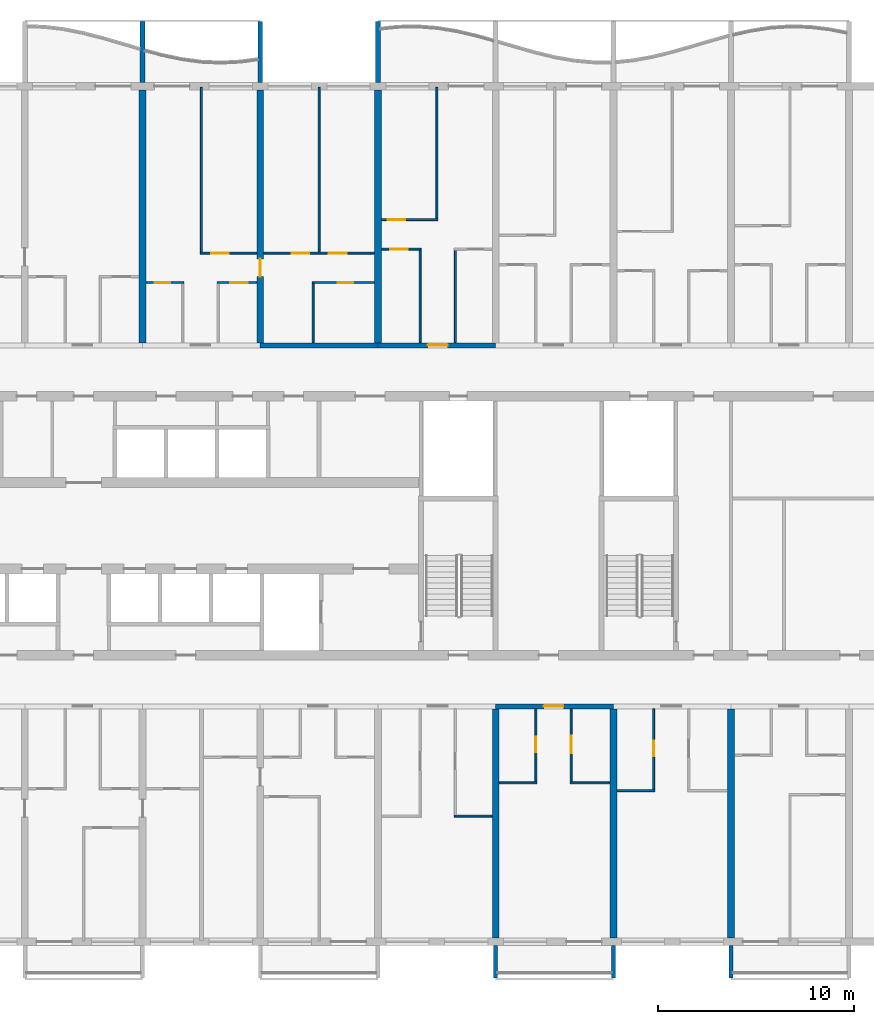
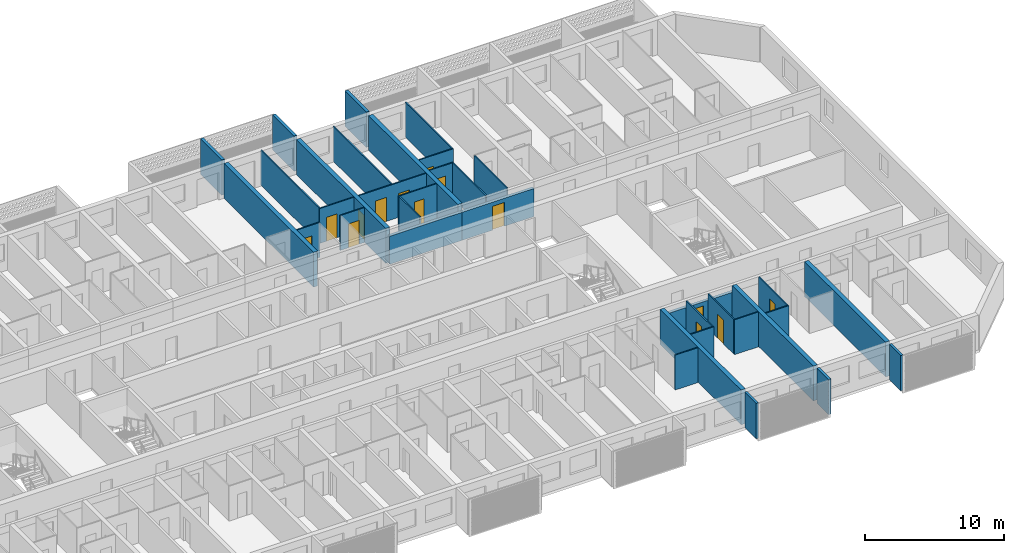
# One storey, part 13 of 30: 35 walls, 14 doors, 14 openings.
"""IFC4 building model written with IfcOpenShell, lengths in metres."""

from ifc_helpers import new_model, si_unit, direction, frame, frame_2d, origin, place, context, subcontext, project, spatial, polyline, rectangle, outline, extrude, source, transform, mapped, material, layer, layer_set, type_object, element, fill, save


model = new_model("IFC4")

# Units and contexts
model_context = context("Model", 3, precision=1e-05, world=origin(), true_north=direction((0.0, 1.0)))
body_context = subcontext(model_context, "Body", "Model", "MODEL_VIEW")
ifc_project = project(units=[si_unit("LENGTHUNIT", "METRE"), si_unit("AREAUNIT", "SQUARE_METRE"), si_unit("VOLUMEUNIT", "CUBIC_METRE"), si_unit("PLANEANGLEUNIT", "RADIAN"), si_unit("MASSUNIT", "GRAM", prefix="KILO")], contexts=[model_context])

# Site, building, storey
site_placement = place(None, origin())
site = spatial("IfcSite", under=ifc_project, at=site_placement, CompositionType="ELEMENT")
building_placement = place(site_placement, origin())
building = spatial("IfcBuilding", under=site, at=building_placement, Name="Poui Terraces", CompositionType="ELEMENT")
storey_placement = place(building_placement, frame((0.0, 0.0, 99.300048828125)))
storey = spatial("IfcBuildingStorey", under=building, at=storey_placement, Name="L27", CompositionType="ELEMENT", Elevation=99.300048828125)

# Wall, opening, door
ifc_material_1 = material(Name="Concrete 65 MPa", Category="concrete")
ifc_layer_1 = layer(ifc_material_1, 0.25)
ifc_layer_set_1 = layer_set([ifc_layer_1], Name="Concrete 65 MPa")
wall_type_1 = type_object("IfcWallType", Name="CORRIDOR WALL 250 65MPa", PredefinedType="SHEAR", material=ifc_layer_set_1)
wall_1_placement = place(storey_placement, frame((72.0, 12.0, 0.0), z_axis=(0.0, 0.0, 1.0), x_axis=(1.0, 0.0, 0.0)))
wall_1 = element("IfcWall", 1, at=wall_1_placement, inside=storey, type_object=wall_type_1, Name="CORRIDOR WALL LINE B BAY 12", PredefinedType="SHEAR", context=body_context, shape_type="SweptSolid", body=[
    extrude(rectangle(XDim=6.0, YDim=0.25, at=frame_2d((3.0, 0.0))), origin(), (0.0, 0.0, 1.0), 2.4599609375),
])
opening_1_placement = place(wall_1_placement, frame((2.449951171875, 0.0, 0.0)))
opening_1 = element("IfcOpeningElement", 2, at=opening_1_placement, cuts=wall_1, Name="Opening FD30S", PredefinedType="OPENING", context=body_context, shape_type="SweptSolid", body=[
    extrude(rectangle(XDim=1.0, YDim=2.10009765625, at=frame_2d((0.5, 1.050048828125))), frame((0.0, 0.135009765625, 0.0), z_axis=(0.0, -1.0, 0.0), x_axis=(1.0, 0.0, 0.0)), (0.0, 0.0, 1.0), 0.27001953125),
])
ifc_material_2 = material(Name="Steel fire door", Category="steel")
door_type_1 = type_object("IfcDoorType", Name="FLAT ENTRANCE DOOR 1000 X 2100", OperationType="NOTDEFINED", PredefinedType="DOOR", material=ifc_material_2)
door_1_placement = place(opening_1_placement, frame((1.0, 0.0, 0.0), z_axis=(0.0, 0.0, 1.0), x_axis=(-1.0, 0.0, 0.0)))
door_1 = element("IfcDoor", 3, at=door_1_placement, inside=storey, type_object=door_type_1, Name="FLAT ENTRANCE DOOR 122", OperationType="SINGLE_SWING_RIGHT", OverallHeight=2.10009765625, OverallWidth=1.0, PredefinedType="DOOR", context=body_context, shape_type="SweptSolid", body=[
    extrude(rectangle(XDim=1.0, YDim=2.10009765625, at=frame_2d((0.5, 1.050048828125))), frame((0.0, 0.02490234375, 0.0), z_axis=(0.0, -1.0, 0.0), x_axis=(1.0, 0.0, 0.0)), (0.0, 0.0, 1.0), 0.050048828125),
])
fill(opening_1, door_1)

# Wall
wall_2_placement = place(storey_placement, frame((60.0, 30.39990234375, 0.0), z_axis=(0.0, 0.0, 1.0), x_axis=(1.0, 0.0, 0.0)))
element("IfcWall", 4, at=wall_2_placement, inside=storey, type_object=wall_type_1, Name="CORRIDOR WALL LINE E BAY 10", PredefinedType="SHEAR", context=body_context, shape_type="SweptSolid", body=[
    extrude(rectangle(XDim=6.0, YDim=0.25, at=frame_2d((3.0, 0.0))), origin(), (0.0, 0.0, 1.0), 2.4599609375),
])

# Wall, opening, door
wall_3_placement = place(storey_placement, frame((66.0, 30.39990234375, 0.0), z_axis=(0.0, 0.0, 1.0), x_axis=(1.0, 0.0, 0.0)))
wall_3 = element("IfcWall", 5, at=wall_3_placement, inside=storey, type_object=wall_type_1, Name="CORRIDOR WALL LINE E BAY 11", PredefinedType="SHEAR", context=body_context, shape_type="SweptSolid", body=[
    extrude(rectangle(XDim=6.0, YDim=0.25, at=frame_2d((3.0, 0.0))), origin(), (0.0, 0.0, 1.0), 2.4599609375),
])
opening_2_placement = place(wall_3_placement, frame((2.550048828125, 0.0, 0.0)))
opening_2 = element("IfcOpeningElement", 6, at=opening_2_placement, cuts=wall_3, Name="Opening FD30S", PredefinedType="OPENING", context=body_context, shape_type="SweptSolid", body=[
    extrude(rectangle(XDim=1.0, YDim=2.10009765625, at=frame_2d((0.5, 1.050048828125))), frame((0.0, 0.135009765625, 0.0), z_axis=(0.0, -1.0, 0.0), x_axis=(1.0, 0.0, 0.0)), (0.0, 0.0, 1.0), 0.27001953125),
])
door_2_placement = place(opening_2_placement, origin())
door_2 = element("IfcDoor", 7, at=door_2_placement, inside=storey, type_object=door_type_1, Name="FLAT ENTRANCE DOOR 068", OperationType="SINGLE_SWING_RIGHT", OverallHeight=2.10009765625, OverallWidth=1.0, PredefinedType="DOOR", context=body_context, shape_type="SweptSolid", body=[
    extrude(rectangle(XDim=1.0, YDim=2.10009765625, at=frame_2d((0.5, 1.050048828125))), frame((0.0, 0.02490234375, 0.0), z_axis=(0.0, -1.0, 0.0), x_axis=(1.0, 0.0, 0.0)), (0.0, 0.0, 1.0), 0.050048828125),
])
fill(opening_2, door_2)

# Wall
ifc_layer_2 = layer(ifc_material_1, 0.35009765625)
ifc_layer_set_2 = layer_set([ifc_layer_2], Name="Concrete 65 MPa")
wall_type_2 = type_object("IfcWallType", Name="CROSS WALL 350 65MPa", PredefinedType="SHEAR", material=ifc_layer_set_2)
wall_4_placement = place(storey_placement, frame((54.0, 30.52490234375, 0.0), z_axis=(0.0, 0.0, 1.0), x_axis=(0.0, 1.0, 0.0)))
element("IfcWall", 8, at=wall_4_placement, inside=storey, type_object=wall_type_2, Name="CROSS WALL LINE 10 NORTH", PredefinedType="SHEAR", context=body_context, shape_type="SweptSolid", body=[
    extrude(rectangle(XDim=12.875, YDim=0.35009765625, at=frame_2d((6.4375, 0.0))), origin(), (0.0, 0.0, 1.0), 3.06005859375),
])

# Wall, opening, door
wall_5_placement = place(storey_placement, frame((60.0, 30.52490234375, 0.0), z_axis=(0.0, 0.0, 1.0), x_axis=(0.0, 1.0, 0.0)))
wall_5 = element("IfcWall", 9, at=wall_5_placement, inside=storey, type_object=wall_type_2, Name="CROSS WALL LINE 11 NORTH", PredefinedType="SHEAR", context=body_context, shape_type="SweptSolid", body=[
    extrude(rectangle(XDim=12.875, YDim=0.35009765625, at=frame_2d((6.4375, 0.0))), origin(), (0.0, 0.0, 1.0), 3.06005859375),
])
opening_3_placement = place(wall_5_placement, frame((3.375, 0.0, 0.0)))
opening_3 = element("IfcOpeningElement", 10, at=opening_3_placement, cuts=wall_5, Name="Opening D90", PredefinedType="OPENING", context=body_context, shape_type="SweptSolid", body=[
    extrude(rectangle(XDim=0.89990234375, YDim=2.10009765625, at=frame_2d((0.449951171875, 1.050048828125))), frame((0.0, 0.18505859375, 0.0), z_axis=(0.0, -1.0, 0.0), x_axis=(1.0, 0.0, 0.0)), (0.0, 0.0, 1.0), 0.3701171875),
])
ifc_material_3 = material(Name="Solid core timber door", Category="wood")
door_type_2 = type_object("IfcDoorType", Name="INTERNAL DOOR 900 X 2100", OperationType="NOTDEFINED", PredefinedType="DOOR", material=ifc_material_3)
door_3_placement = place(opening_3_placement, origin())
door_3 = element("IfcDoor", 11, at=door_3_placement, inside=storey, type_object=door_type_2, Name="INTERNAL DOOR 065", OperationType="SINGLE_SWING_LEFT", OverallHeight=2.10009765625, OverallWidth=0.89990234375, PredefinedType="DOOR", context=body_context, shape_type="SweptSolid", body=[
    extrude(rectangle(XDim=0.89990234375, YDim=2.10009765625, at=frame_2d((0.449951171875, 1.050048828125))), frame((0.0, 0.02490234375, 0.0), z_axis=(0.0, -1.0, 0.0), x_axis=(1.0, 0.0, 0.0)), (0.0, 0.0, 1.0), 0.050048828125),
])
fill(opening_3, door_3)

# Walls
wall_6_placement = place(storey_placement, frame((66.0, 30.52490234375, 0.0), z_axis=(0.0, 0.0, 1.0), x_axis=(0.0, 1.0, 0.0)))
element("IfcWall", 12, at=wall_6_placement, inside=storey, type_object=wall_type_2, Name="CROSS WALL LINE 12 NORTH", PredefinedType="SHEAR", context=body_context, shape_type="SweptSolid", body=[
    extrude(rectangle(XDim=12.875, YDim=0.35009765625, at=frame_2d((6.4375, 0.0))), origin(), (0.0, 0.0, 1.0), 3.06005859375),
])
for number, where, z_axis, x_axis, name in (
    (13, (72.0, 0.199951171875, 0.0), (0.0, 0.0, 1.0), (0.0, 1.0, 0.0), "CROSS WALL LINE 13 SOUTH"),
    (14, (78.0, 0.199951171875, 0.0), (0.0, 0.0, 1.0), (0.0, 1.0, 0.0), "CROSS WALL LINE 14 SOUTH"),
    (15, (84.0, 0.199951171875, 0.0), (0.0, 0.0, 1.0), (0.0, 1.0, 0.0), "CROSS WALL LINE 15 SOUTH"),
):
    element("IfcWall", number, at=place(storey_placement, frame(where, z_axis=z_axis, x_axis=x_axis)), inside=storey, type_object=wall_type_2, Name=name, PredefinedType="SHEAR", context=body_context, shape_type="SweptSolid", body=[
        extrude(rectangle(XDim=11.675048828125, YDim=0.35009765625, at=frame_2d((5.83740234375, 0.0))), origin(), (0.0, 0.0, 1.0), 3.06005859375),
    ])
ifc_material_4 = material(Name="Plasterboard partition")
ifc_layer_3 = layer(ifc_material_4, 0.10009765625)
ifc_layer_set_3 = layer_set([ifc_layer_3], Name="Plasterboard partition")
wall_type_3 = type_object("IfcWallType", Name="FLAT PARTITION 100", PredefinedType="PARTITIONING", material=ifc_layer_set_3)
for number, where, z_axis, x_axis, name in (
    (16, (69.89990234375, 6.39990234375, 0.0), (0.0, 0.0, 1.0), (1.0, 0.0, 0.0), "FLAT PARTITION 100"),
    (17, (78.18505859375, 7.699951171875, 0.0), (0.0, 0.0, 1.0), (1.0, 0.0, 0.0), "FLAT PARTITION 100"),
    (18, (72.18505859375, 8.10009765625, 0.0), (0.0, 0.0, 1.0), (1.0, 0.0, 0.0), "FLAT PARTITION 100"),
):
    element("IfcWall", number, at=place(storey_placement, frame(where, z_axis=z_axis, x_axis=x_axis)), inside=storey, type_object=wall_type_3, Name=name, PredefinedType="PARTITIONING", context=body_context, shape_type="SweptSolid", body=[
        extrude(rectangle(XDim=1.9150390625, YDim=0.10009765625, at=frame_2d((0.95751953125, 0.0))), origin(), (0.0, 0.0, 1.0), 3.06005859375),
    ])
wall_7_placement = place(storey_placement, frame((75.800048828125, 8.10009765625, 0.0), z_axis=(0.0, 0.0, 1.0), x_axis=(1.0, 0.0, 0.0)))
element("IfcWall", 19, at=wall_7_placement, inside=storey, type_object=wall_type_3, Name="FLAT PARTITION 100", PredefinedType="PARTITIONING", context=body_context, shape_type="SweptSolid", body=[
    extrude(rectangle(XDim=2.014892578125, YDim=0.10009765625, at=frame_2d((1.00732421875, 0.0))), origin(), (0.0, 0.0, 1.0), 3.06005859375),
])

# Wall, opening, door
wall_8_placement = place(storey_placement, frame((54.18505859375, 33.60009765625, 0.0), z_axis=(0.0, 0.0, 1.0), x_axis=(1.0, 0.0, 0.0)))
wall_8 = element("IfcWall", 20, at=wall_8_placement, inside=storey, type_object=wall_type_3, Name="FLAT PARTITION 100", PredefinedType="PARTITIONING", context=body_context, shape_type="SweptSolid", body=[
    extrude(rectangle(XDim=1.9150390625, YDim=0.10009765625, at=frame_2d((0.95751953125, 0.0))), origin(), (0.0, 0.0, 1.0), 3.06005859375),
])
opening_4_placement = place(wall_8_placement, frame((0.43994140625, 0.0, 0.0)))
opening_4 = element("IfcOpeningElement", 21, at=opening_4_placement, cuts=wall_8, Name="Opening D80", PredefinedType="OPENING", context=body_context, shape_type="SweptSolid", body=[
    extrude(rectangle(XDim=0.800048828125, YDim=2.10009765625, at=frame_2d((0.39990234375, 1.050048828125))), frame((0.0, 0.06005859375, 0.0), z_axis=(0.0, -1.0, 0.0), x_axis=(1.0, 0.0, 0.0)), (0.0, 0.0, 1.0), 0.1201171875),
])
door_type_3 = type_object("IfcDoorType", Name="BATHROOM, LAUNDRY AND STORE DOOR 800 X 2100", OperationType="NOTDEFINED", PredefinedType="DOOR", material=ifc_material_3)
door_4_placement = place(opening_4_placement, frame((0.800048828125, 0.0, 0.0), z_axis=(0.0, 0.0, 1.0), x_axis=(-1.0, 0.0, 0.0)))
door_4 = element("IfcDoor", 22, at=door_4_placement, inside=storey, type_object=door_type_3, Name="BATHROOM, LAUNDRY AND STORE DOOR 061", OperationType="SINGLE_SWING_LEFT", OverallHeight=2.10009765625, OverallWidth=0.800048828125, PredefinedType="DOOR", context=body_context, shape_type="SweptSolid", body=[
    extrude(rectangle(XDim=0.800048828125, YDim=2.10009765625, at=frame_2d((0.39990234375, 1.050048828125))), frame((0.0, 0.02490234375, 0.0), z_axis=(0.0, -1.0, 0.0), x_axis=(1.0, 0.0, 0.0)), (0.0, 0.0, 1.0), 0.050048828125),
])
fill(opening_4, door_4)

wall_9_placement = place(storey_placement, frame((57.800048828125, 33.60009765625, 0.0), z_axis=(0.0, 0.0, 1.0), x_axis=(1.0, 0.0, 0.0)))
wall_9 = element("IfcWall", 23, at=wall_9_placement, inside=storey, type_object=wall_type_3, Name="FLAT PARTITION 100", PredefinedType="PARTITIONING", context=body_context, shape_type="SweptSolid", body=[
    extrude(rectangle(XDim=2.014892578125, YDim=0.10009765625, at=frame_2d((1.00732421875, 0.0))), origin(), (0.0, 0.0, 1.0), 3.06005859375),
])
opening_5_placement = place(wall_9_placement, frame((0.675048828125, 0.0, 0.0)))
opening_5 = element("IfcOpeningElement", 24, at=opening_5_placement, cuts=wall_9, Name="Opening D90", PredefinedType="OPENING", context=body_context, shape_type="SweptSolid", body=[
    extrude(rectangle(XDim=0.89990234375, YDim=2.10009765625, at=frame_2d((0.449951171875, 1.050048828125))), frame((0.0, 0.06005859375, 0.0), z_axis=(0.0, -1.0, 0.0), x_axis=(1.0, 0.0, 0.0)), (0.0, 0.0, 1.0), 0.1201171875),
])
door_5_placement = place(opening_5_placement, frame((0.89990234375, 0.0, 0.0), z_axis=(0.0, 0.0, 1.0), x_axis=(-1.0, 0.0, 0.0)))
door_5 = element("IfcDoor", 25, at=door_5_placement, inside=storey, type_object=door_type_2, Name="INTERNAL DOOR 064", OperationType="SINGLE_SWING_RIGHT", OverallHeight=2.10009765625, OverallWidth=0.89990234375, PredefinedType="DOOR", context=body_context, shape_type="SweptSolid", body=[
    extrude(rectangle(XDim=0.89990234375, YDim=2.10009765625, at=frame_2d((0.449951171875, 1.050048828125))), frame((0.0, 0.02490234375, 0.0), z_axis=(0.0, -1.0, 0.0), x_axis=(1.0, 0.0, 0.0)), (0.0, 0.0, 1.0), 0.050048828125),
])
fill(opening_5, door_5)

wall_10_placement = place(storey_placement, frame((62.64990234375, 33.60009765625, 0.0), z_axis=(0.0, 0.0, 1.0), x_axis=(1.0, 0.0, 0.0)))
wall_10 = element("IfcWall", 26, at=wall_10_placement, inside=storey, type_object=wall_type_3, Name="FLAT PARTITION 100", PredefinedType="PARTITIONING", context=body_context, shape_type="SweptSolid", body=[
    extrude(rectangle(XDim=3.1650390625, YDim=0.10009765625, at=frame_2d((1.58251953125, 0.0))), origin(), (0.0, 0.0, 1.0), 3.06005859375),
])
opening_6_placement = place(wall_10_placement, frame((1.300048828125, 0.0, 0.0)))
opening_6 = element("IfcOpeningElement", 27, at=opening_6_placement, cuts=wall_10, Name="Opening D80", PredefinedType="OPENING", context=body_context, shape_type="SweptSolid", body=[
    extrude(rectangle(XDim=0.800048828125, YDim=2.10009765625, at=frame_2d((0.39990234375, 1.050048828125))), frame((0.0, 0.06005859375, 0.0), z_axis=(0.0, -1.0, 0.0), x_axis=(1.0, 0.0, 0.0)), (0.0, 0.0, 1.0), 0.1201171875),
])
door_6_placement = place(opening_6_placement, origin())
door_6 = element("IfcDoor", 28, at=door_6_placement, inside=storey, type_object=door_type_3, Name="BATHROOM, LAUNDRY AND STORE DOOR 060", OperationType="SINGLE_SWING_LEFT", OverallHeight=2.10009765625, OverallWidth=0.800048828125, PredefinedType="DOOR", context=body_context, shape_type="SweptSolid", body=[
    extrude(rectangle(XDim=0.800048828125, YDim=2.10009765625, at=frame_2d((0.39990234375, 1.050048828125))), frame((0.0, 0.02490234375, 0.0), z_axis=(0.0, -1.0, 0.0), x_axis=(1.0, 0.0, 0.0)), (0.0, 0.0, 1.0), 0.050048828125),
])
fill(opening_6, door_6)

wall_11_placement = place(storey_placement, frame((56.949951171875, 35.10009765625, 0.0), z_axis=(0.0, 0.0, 1.0), x_axis=(1.0, 0.0, 0.0)))
wall_11 = element("IfcWall", 29, at=wall_11_placement, inside=storey, type_object=wall_type_3, Name="FLAT PARTITION 100", PredefinedType="PARTITIONING", context=body_context, shape_type="SweptSolid", body=[
    extrude(rectangle(XDim=2.864990234375, YDim=0.10009765625, at=frame_2d((1.4326171875, 0.0))), origin(), (0.0, 0.0, 1.0), 3.06005859375),
])
opening_7_placement = place(wall_11_placement, frame((0.550048828125, 0.0, 0.0)))
opening_7 = element("IfcOpeningElement", 30, at=opening_7_placement, cuts=wall_11, Name="Opening D90", PredefinedType="OPENING", context=body_context, shape_type="SweptSolid", body=[
    extrude(rectangle(XDim=0.89990234375, YDim=2.10009765625, at=frame_2d((0.449951171875, 1.050048828125))), frame((0.0, 0.06005859375, 0.0), z_axis=(0.0, -1.0, 0.0), x_axis=(1.0, 0.0, 0.0)), (0.0, 0.0, 1.0), 0.1201171875),
])
door_7_placement = place(opening_7_placement, frame((0.89990234375, 0.0, 0.0), z_axis=(0.0, 0.0, 1.0), x_axis=(-1.0, 0.0, 0.0)))
door_7 = element("IfcDoor", 31, at=door_7_placement, inside=storey, type_object=door_type_2, Name="INTERNAL DOOR 063", OperationType="SINGLE_SWING_LEFT", OverallHeight=2.10009765625, OverallWidth=0.89990234375, PredefinedType="DOOR", context=body_context, shape_type="SweptSolid", body=[
    extrude(rectangle(XDim=0.89990234375, YDim=2.10009765625, at=frame_2d((0.449951171875, 1.050048828125))), frame((0.0, 0.02490234375, 0.0), z_axis=(0.0, -1.0, 0.0), x_axis=(1.0, 0.0, 0.0)), (0.0, 0.0, 1.0), 0.050048828125),
])
fill(opening_7, door_7)

# Wall, openings, doors
wall_12_placement = place(storey_placement, frame((60.18505859375, 35.10009765625, 0.0), z_axis=(0.0, 0.0, 1.0), x_axis=(1.0, 0.0, 0.0)))
wall_12 = element("IfcWall", 32, at=wall_12_placement, inside=storey, type_object=wall_type_3, Name="FLAT PARTITION 100", PredefinedType="PARTITIONING", context=body_context, shape_type="SweptSolid", body=[
    extrude(rectangle(XDim=5.6298828125, YDim=0.10009765625, at=frame_2d((2.81494140625, 0.0))), origin(), (0.0, 0.0, 1.0), 3.06005859375),
])
opening_8_placement = place(wall_12_placement, frame((1.4150390625, 0.0, 0.0)))
opening_8 = element("IfcOpeningElement", 33, at=opening_8_placement, cuts=wall_12, Name="Opening D90", PredefinedType="OPENING", context=body_context, shape_type="SweptSolid", body=[
    extrude(rectangle(XDim=0.89990234375, YDim=2.10009765625, at=frame_2d((0.449951171875, 1.050048828125))), frame((0.0, 0.06005859375, 0.0), z_axis=(0.0, -1.0, 0.0), x_axis=(1.0, 0.0, 0.0)), (0.0, 0.0, 1.0), 0.1201171875),
])
opening_9_placement = place(wall_12_placement, frame((3.31494140625, 0.0, 0.0)))
opening_9 = element("IfcOpeningElement", 34, at=opening_9_placement, cuts=wall_12, Name="Opening D90", PredefinedType="OPENING", context=body_context, shape_type="SweptSolid", body=[
    extrude(rectangle(XDim=0.89990234375, YDim=2.10009765625, at=frame_2d((0.449951171875, 1.050048828125))), frame((0.0, 0.06005859375, 0.0), z_axis=(0.0, -1.0, 0.0), x_axis=(1.0, 0.0, 0.0)), (0.0, 0.0, 1.0), 0.1201171875),
])
door_8_placement = place(opening_8_placement, origin())
door_8 = element("IfcDoor", 35, at=door_8_placement, inside=storey, type_object=door_type_2, Name="INTERNAL DOOR 058", OperationType="SINGLE_SWING_RIGHT", OverallHeight=2.10009765625, OverallWidth=0.89990234375, PredefinedType="DOOR", context=body_context, shape_type="SweptSolid", body=[
    extrude(rectangle(XDim=0.89990234375, YDim=2.10009765625, at=frame_2d((0.449951171875, 1.050048828125))), frame((0.0, 0.02490234375, 0.0), z_axis=(0.0, -1.0, 0.0), x_axis=(1.0, 0.0, 0.0)), (0.0, 0.0, 1.0), 0.050048828125),
])
fill(opening_8, door_8)
door_9_placement = place(opening_9_placement, origin())
door_9 = element("IfcDoor", 36, at=door_9_placement, inside=storey, type_object=door_type_2, Name="INTERNAL DOOR 059", OperationType="SINGLE_SWING_LEFT", OverallHeight=2.10009765625, OverallWidth=0.89990234375, PredefinedType="DOOR", context=body_context, shape_type="SweptSolid", body=[
    extrude(rectangle(XDim=0.89990234375, YDim=2.10009765625, at=frame_2d((0.449951171875, 1.050048828125))), frame((0.0, 0.02490234375, 0.0), z_axis=(0.0, -1.0, 0.0), x_axis=(1.0, 0.0, 0.0)), (0.0, 0.0, 1.0), 0.050048828125),
])
fill(opening_9, door_9)

# Wall, opening, door
wall_13_placement = place(storey_placement, frame((66.18505859375, 35.300048828125, 0.0), z_axis=(0.0, 0.0, 1.0), x_axis=(1.0, 0.0, 0.0)))
wall_13 = element("IfcWall", 37, at=wall_13_placement, inside=storey, type_object=wall_type_3, Name="FLAT PARTITION 100", PredefinedType="PARTITIONING", context=body_context, shape_type="SweptSolid", body=[
    extrude(rectangle(XDim=2.014892578125, YDim=0.10009765625, at=frame_2d((1.00732421875, 0.0))), origin(), (0.0, 0.0, 1.0), 3.06005859375),
])
opening_10_placement = place(wall_13_placement, frame((0.43994140625, 0.0, 0.0)))
opening_10 = element("IfcOpeningElement", 38, at=opening_10_placement, cuts=wall_13, Name="Opening D90", PredefinedType="OPENING", context=body_context, shape_type="SweptSolid", body=[
    extrude(rectangle(XDim=0.89990234375, YDim=2.10009765625, at=frame_2d((0.449951171875, 1.050048828125))), frame((0.0, 0.06005859375, 0.0), z_axis=(0.0, -1.0, 0.0), x_axis=(1.0, 0.0, 0.0)), (0.0, 0.0, 1.0), 0.1201171875),
])
door_10_placement = place(opening_10_placement, frame((0.89990234375, 0.0, 0.0), z_axis=(0.0, 0.0, 1.0), x_axis=(-1.0, 0.0, 0.0)))
door_10 = element("IfcDoor", 39, at=door_10_placement, inside=storey, type_object=door_type_2, Name="INTERNAL DOOR 067", OperationType="SINGLE_SWING_RIGHT", OverallHeight=2.10009765625, OverallWidth=0.89990234375, PredefinedType="DOOR", context=body_context, shape_type="SweptSolid", body=[
    extrude(rectangle(XDim=0.89990234375, YDim=2.10009765625, at=frame_2d((0.449951171875, 1.050048828125))), frame((0.0, 0.02490234375, 0.0), z_axis=(0.0, -1.0, 0.0), x_axis=(1.0, 0.0, 0.0)), (0.0, 0.0, 1.0), 0.050048828125),
])
fill(opening_10, door_10)

wall_14_placement = place(storey_placement, frame((66.18505859375, 36.800048828125, 0.0), z_axis=(0.0, 0.0, 1.0), x_axis=(1.0, 0.0, 0.0)))
wall_14 = element("IfcWall", 40, at=wall_14_placement, inside=storey, type_object=wall_type_3, Name="FLAT PARTITION 100", PredefinedType="PARTITIONING", context=body_context, shape_type="SweptSolid", body=[
    extrude(rectangle(XDim=2.864990234375, YDim=0.10009765625, at=frame_2d((1.4326171875, 0.0))), origin(), (0.0, 0.0, 1.0), 3.06005859375),
])
opening_11_placement = place(wall_14_placement, frame((0.31494140625, 0.0, 0.0)))
opening_11 = element("IfcOpeningElement", 41, at=opening_11_placement, cuts=wall_14, Name="Opening D90", PredefinedType="OPENING", context=body_context, shape_type="SweptSolid", body=[
    extrude(rectangle(XDim=0.89990234375, YDim=2.10009765625, at=frame_2d((0.449951171875, 1.050048828125))), frame((0.0, 0.06005859375, 0.0), z_axis=(0.0, -1.0, 0.0), x_axis=(1.0, 0.0, 0.0)), (0.0, 0.0, 1.0), 0.1201171875),
])
door_11_placement = place(opening_11_placement, frame((0.89990234375, 0.0, 0.0), z_axis=(0.0, 0.0, 1.0), x_axis=(-1.0, 0.0, 0.0)))
door_11 = element("IfcDoor", 42, at=door_11_placement, inside=storey, type_object=door_type_2, Name="INTERNAL DOOR 066", OperationType="SINGLE_SWING_LEFT", OverallHeight=2.10009765625, OverallWidth=0.89990234375, PredefinedType="DOOR", context=body_context, shape_type="SweptSolid", body=[
    extrude(rectangle(XDim=0.89990234375, YDim=2.10009765625, at=frame_2d((0.449951171875, 1.050048828125))), frame((0.0, 0.02490234375, 0.0), z_axis=(0.0, -1.0, 0.0), x_axis=(1.0, 0.0, 0.0)), (0.0, 0.0, 1.0), 0.050048828125),
])
fill(opening_11, door_11)

# Walls
wall_15_placement = place(storey_placement, frame((57.0, 35.14990234375, 0.0), z_axis=(0.0, 0.0, 1.0), x_axis=(0.0, 1.0, 0.0)))
element("IfcWall", 43, at=wall_15_placement, inside=storey, type_object=wall_type_3, Name="FLAT PARTITION 100", PredefinedType="PARTITIONING", context=body_context, shape_type="SweptSolid", body=[
    extrude(rectangle(XDim=8.39013671875, YDim=0.10009765625, at=frame_2d((4.195068359375, 0.0))), origin(), (0.0, 0.0, 1.0), 3.06005859375),
])
wall_16_placement = place(storey_placement, frame((62.699951171875, 30.534912109375, 0.0), z_axis=(0.0, 0.0, 1.0), x_axis=(0.0, 1.0, 0.0)))
element("IfcWall", 44, at=wall_16_placement, inside=storey, type_object=wall_type_3, Name="FLAT PARTITION 100", PredefinedType="PARTITIONING", context=body_context, shape_type="SweptSolid", body=[
    extrude(rectangle(XDim=3.01513671875, YDim=0.10009765625, at=frame_2d((1.507568359375, 0.0))), origin(), (0.0, 0.0, 1.0), 3.06005859375),
])
wall_17_placement = place(storey_placement, frame((63.0, 35.14990234375, 0.0), z_axis=(0.0, 0.0, 1.0), x_axis=(0.0, 1.0, 0.0)))
element("IfcWall", 45, at=wall_17_placement, inside=storey, type_object=wall_type_3, Name="FLAT PARTITION 100", PredefinedType="PARTITIONING", context=body_context, shape_type="SweptSolid", body=[
    extrude(rectangle(XDim=8.39013671875, YDim=0.10009765625, at=frame_2d((4.195068359375, 0.0))), origin(), (0.0, 0.0, 1.0), 3.06005859375),
])
wall_18_placement = place(storey_placement, frame((68.14990234375, 30.534912109375, 0.0), z_axis=(0.0, 0.0, 1.0), x_axis=(0.0, 1.0, 0.0)))
element("IfcWall", 46, at=wall_18_placement, inside=storey, type_object=wall_type_3, Name="FLAT PARTITION 100", PredefinedType="PARTITIONING", context=body_context, shape_type="SweptSolid", body=[
    extrude(rectangle(XDim=4.715087890625, YDim=0.10009765625, at=frame_2d((2.357421875, 0.0))), origin(), (0.0, 0.0, 1.0), 3.06005859375),
])
wall_19_placement = place(storey_placement, frame((69.0, 36.85009765625, 0.0), z_axis=(0.0, 0.0, 1.0), x_axis=(0.0, 1.0, 0.0)))
element("IfcWall", 47, at=wall_19_placement, inside=storey, type_object=wall_type_3, Name="FLAT PARTITION 100", PredefinedType="PARTITIONING", context=body_context, shape_type="SweptSolid", body=[
    extrude(rectangle(XDim=6.68994140625, YDim=0.10009765625, at=frame_2d((3.344970703125, 0.0))), origin(), (0.0, 0.0, 1.0), 3.06005859375),
])
wall_20_placement = place(storey_placement, frame((69.949951171875, 30.534912109375, 0.0), z_axis=(0.0, 0.0, 1.0), x_axis=(0.0, 1.0, 0.0)))
element("IfcWall", 48, at=wall_20_placement, inside=storey, type_object=wall_type_3, Name="FLAT PARTITION 100", PredefinedType="PARTITIONING", context=body_context, shape_type="SweptSolid", body=[
    extrude(rectangle(XDim=4.715087890625, YDim=0.10009765625, at=frame_2d((2.357421875, 0.0))), origin(), (0.0, 0.0, 1.0), 3.06005859375),
])

# Wall, opening, door
wall_21_placement = place(storey_placement, frame((74.050048828125, 8.14990234375, 0.0), z_axis=(0.0, 0.0, 1.0), x_axis=(0.0, 1.0, 0.0)))
wall_21 = element("IfcWall", 49, at=wall_21_placement, inside=storey, type_object=wall_type_3, Name="FLAT PARTITION 100", PredefinedType="PARTITIONING", context=body_context, shape_type="SweptSolid", body=[
    extrude(rectangle(XDim=3.715087890625, YDim=0.10009765625, at=frame_2d((1.857421875, 0.0))), origin(), (0.0, 0.0, 1.0), 3.06005859375),
])
opening_12_placement = place(wall_21_placement, frame((1.5, 0.0, 0.0)))
opening_12 = element("IfcOpeningElement", 50, at=opening_12_placement, cuts=wall_21, Name="Opening D80", PredefinedType="OPENING", context=body_context, shape_type="SweptSolid", body=[
    extrude(rectangle(XDim=0.800048828125, YDim=2.10009765625, at=frame_2d((0.39990234375, 1.050048828125))), frame((0.0, 0.06005859375, 0.0), z_axis=(0.0, -1.0, 0.0), x_axis=(1.0, 0.0, 0.0)), (0.0, 0.0, 1.0), 0.1201171875),
])
door_12_placement = place(opening_12_placement, origin())
door_12 = element("IfcDoor", 51, at=door_12_placement, inside=storey, type_object=door_type_3, Name="BATHROOM, LAUNDRY AND STORE DOOR 121", OperationType="SINGLE_SWING_RIGHT", OverallHeight=2.10009765625, OverallWidth=0.800048828125, PredefinedType="DOOR", context=body_context, shape_type="SweptSolid", body=[
    extrude(rectangle(XDim=0.800048828125, YDim=2.10009765625, at=frame_2d((0.39990234375, 1.050048828125))), frame((0.0, 0.02490234375, 0.0), z_axis=(0.0, -1.0, 0.0), x_axis=(1.0, 0.0, 0.0)), (0.0, 0.0, 1.0), 0.050048828125),
])
fill(opening_12, door_12)

wall_22_placement = place(storey_placement, frame((75.85009765625, 8.14990234375, 0.0), z_axis=(0.0, 0.0, 1.0), x_axis=(0.0, 1.0, 0.0)))
wall_22 = element("IfcWall", 52, at=wall_22_placement, inside=storey, type_object=wall_type_3, Name="FLAT PARTITION 100", PredefinedType="PARTITIONING", context=body_context, shape_type="SweptSolid", body=[
    extrude(rectangle(XDim=3.715087890625, YDim=0.10009765625, at=frame_2d((1.857421875, 0.0))), origin(), (0.0, 0.0, 1.0), 3.06005859375),
])
opening_13_placement = place(wall_22_placement, frame((1.449951171875, 0.0, 0.0)))
opening_13 = element("IfcOpeningElement", 53, at=opening_13_placement, cuts=wall_22, Name="Opening D90", PredefinedType="OPENING", context=body_context, shape_type="SweptSolid", body=[
    extrude(rectangle(XDim=0.89990234375, YDim=2.10009765625, at=frame_2d((0.449951171875, 1.050048828125))), frame((0.0, 0.06005859375, 0.0), z_axis=(0.0, -1.0, 0.0), x_axis=(1.0, 0.0, 0.0)), (0.0, 0.0, 1.0), 0.1201171875),
])
door_13_placement = place(opening_13_placement, frame((0.89990234375, 0.0, 0.0), z_axis=(0.0, 0.0, 1.0), x_axis=(-1.0, 0.0, 0.0)))
door_13 = element("IfcDoor", 54, at=door_13_placement, inside=storey, type_object=door_type_2, Name="INTERNAL DOOR 123", OperationType="SINGLE_SWING_RIGHT", OverallHeight=2.10009765625, OverallWidth=0.89990234375, PredefinedType="DOOR", context=body_context, shape_type="SweptSolid", body=[
    extrude(rectangle(XDim=0.89990234375, YDim=2.10009765625, at=frame_2d((0.449951171875, 1.050048828125))), frame((0.0, 0.02490234375, 0.0), z_axis=(0.0, -1.0, 0.0), x_axis=(1.0, 0.0, 0.0)), (0.0, 0.0, 1.0), 0.050048828125),
])
fill(opening_13, door_13)

wall_23_placement = place(storey_placement, frame((80.050048828125, 7.75, 0.0), z_axis=(0.0, 0.0, 1.0), x_axis=(0.0, 1.0, 0.0)))
wall_23 = element("IfcWall", 55, at=wall_23_placement, inside=storey, type_object=wall_type_3, Name="FLAT PARTITION 100", PredefinedType="PARTITIONING", context=body_context, shape_type="SweptSolid", body=[
    extrude(rectangle(XDim=4.114990234375, YDim=0.10009765625, at=frame_2d((2.0576171875, 0.0))), origin(), (0.0, 0.0, 1.0), 3.06005859375),
])
opening_14_placement = place(wall_23_placement, frame((1.699951171875, 0.0, 0.0)))
opening_14 = element("IfcOpeningElement", 56, at=opening_14_placement, cuts=wall_23, Name="Opening D80", PredefinedType="OPENING", context=body_context, shape_type="SweptSolid", body=[
    extrude(rectangle(XDim=0.800048828125, YDim=2.10009765625, at=frame_2d((0.39990234375, 1.050048828125))), frame((0.0, 0.06005859375, 0.0), z_axis=(0.0, -1.0, 0.0), x_axis=(1.0, 0.0, 0.0)), (0.0, 0.0, 1.0), 0.1201171875),
])
door_14_placement = place(opening_14_placement, origin())
door_14 = element("IfcDoor", 57, at=door_14_placement, inside=storey, type_object=door_type_3, Name="BATHROOM, LAUNDRY AND STORE DOOR 124", OperationType="SINGLE_SWING_LEFT", OverallHeight=2.10009765625, OverallWidth=0.800048828125, PredefinedType="DOOR", context=body_context, shape_type="SweptSolid", body=[
    extrude(rectangle(XDim=0.800048828125, YDim=2.10009765625, at=frame_2d((0.39990234375, 1.050048828125))), frame((0.0, 0.02490234375, 0.0), z_axis=(0.0, -1.0, 0.0), x_axis=(1.0, 0.0, 0.0)), (0.0, 0.0, 1.0), 0.050048828125),
])
fill(opening_14, door_14)

# Walls
ifc_material_5 = material(Name="Precast concrete 40 MPa", Category="concrete")
ifc_layer_4 = layer(ifc_material_5, 0.199951171875)
ifc_layer_set_4 = layer_set([ifc_layer_4], Name="Precast concrete 40 MPa")
wall_type_4 = type_object("IfcWallType", Name="REAR FIN 200", PredefinedType="STANDARD", material=ifc_layer_set_4)
shared_shape_1 = source(origin(), body_context, "Body", "SweptSolid", [
    extrude(outline(polyline([(0.0, 0.0), (0.2001953125, 0.0), (0.2001953125, 1.650146484375), (0.0, 1.650146484375), (0.0, 0.0)])), origin(), (0.0, 0.0, 1.0), 3.099853515625),
])
for number, where, name in (
    (58, (71.89990234375, -1.85009765625, 0.0), "REAR FIN"),
    (59, (77.89990234375, -1.85009765625, 0.0), "REAR FIN"),
    (60, (83.89990234375, -1.85009765625, 0.0), "REAR FIN"),
):
    element("IfcWall", number, at=place(storey_placement, frame(where)), inside=storey, type_object=wall_type_4, Name=name, PredefinedType="STANDARD", context=body_context, shape_type="MappedRepresentation", body=[
        mapped(shared_shape_1, transform((0.0, 0.0, 0.0))),
    ])
ifc_layer_5 = layer(ifc_material_5, 0.25)
ifc_layer_set_5 = layer_set([ifc_layer_5], Name="Precast concrete 40 MPa")
wall_type_5 = type_object("IfcWallType", Name="BALCONY FIN 250", PredefinedType="STANDARD", material=ifc_layer_set_5)
shared_shape_2 = source(origin(), body_context, "Body", "SweptSolid", [
    extrude(outline(polyline([(0.0, 0.0), (0.25, 0.0), (0.25, 3.099853515625), (0.0, 3.099853515625), (0.0, 0.0)])), origin(), (0.0, 0.0, 1.0), 3.099853515625),
])
for number, where, name in (
    (61, (53.875, 43.800048828125, 0.0), "BALCONY FIN"),
    (62, (59.875, 43.800048828125, 0.0), "BALCONY FIN"),
    (63, (65.875, 43.800048828125, 0.0), "BALCONY FIN"),
):
    element("IfcWall", number, at=place(storey_placement, frame(where)), inside=storey, type_object=wall_type_5, Name=name, PredefinedType="STANDARD", context=body_context, shape_type="MappedRepresentation", body=[
        mapped(shared_shape_2, transform((0.0, 0.0, 0.0))),
    ])

save(model, "model.ifc")
